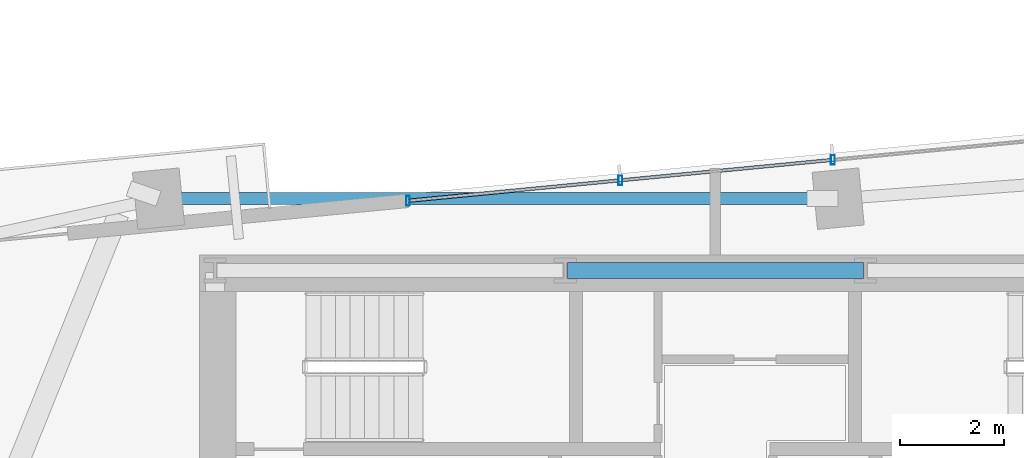
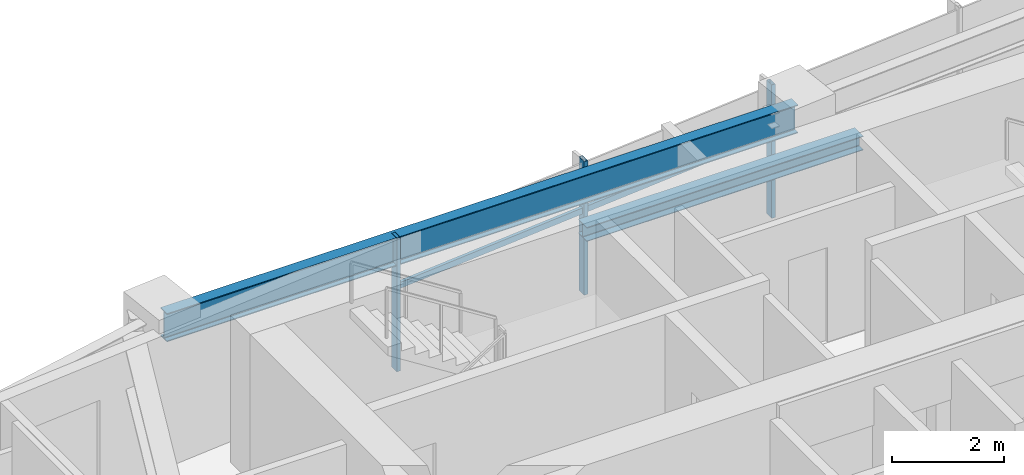
# One storey, part 10 of 27: 5 members, 2 beams, 1 element without a shape of its own.
"""IFC4 building model written with IfcOpenShell, lengths in metres."""

from ifc_helpers import new_model, si_unit, direction, frame, origin, origin_2d, place, context, subcontext, project, spatial, hollow_rectangle, i_section, extrude, source, transform, mapped, material, material_profile, profile_set, type_object, type_shapes, element, aggregate, save


model = new_model("IFC4")

# Units and contexts
model_context = context("Model", 3, precision=1e-05, world=origin(), true_north=direction((0.0, 1.0)))
body_context = subcontext(model_context, "Body", "Model", "MODEL_VIEW")
ifc_project = project(units=[si_unit("LENGTHUNIT", "METRE"), si_unit("AREAUNIT", "SQUARE_METRE"), si_unit("VOLUMEUNIT", "CUBIC_METRE"), si_unit("PLANEANGLEUNIT", "RADIAN"), si_unit("MASSUNIT", "GRAM", prefix="KILO")], contexts=[model_context])

# Site, building, storey
site_placement = place(None, origin())
site = spatial("IfcSite", under=ifc_project, at=site_placement, CompositionType="ELEMENT")
building_placement = place(site_placement, origin())
building = spatial("IfcBuilding", under=site, at=building_placement, Name="Astriad Promenade Condominiums", CompositionType="ELEMENT")
storey_placement = place(building_placement, frame((0.0, 0.0, 116.199951171875)))
storey = spatial("IfcBuildingStorey", under=building, at=storey_placement, Name="L33", CompositionType="ELEMENT", Elevation=116.199951171875)

# Beams
ifc_material_1 = material(Name="Steel ASTM A992 Grade 50", Category="steel")
ifc_material_profile_1 = material_profile(ifc_material_1, i_section(OverallWidth=0.3046875, OverallDepth=0.307861328125, WebThickness=0.010009765625, FlangeThickness=0.015380859375, FilletRadius=0.01513671875, at=origin_2d()), Name="W12X65")
ifc_profile_set_1 = profile_set([ifc_material_profile_1], Name="Steel ASTM A992 Grade 50")
beam_type_1 = type_object("IfcBeamType", Name="STEEL OPENING LINTEL W12X65", PredefinedType="LINTEL", material=ifc_profile_set_1)
shared_shape_1 = source(origin(), body_context, "Body", "SweptSolid", [
    extrude(i_section(OverallWidth=0.3046875, OverallDepth=0.307861328125, WebThickness=0.010009765625, FlangeThickness=0.015380859375, FilletRadius=0.01513671875, at=origin_2d()), origin(), (0.0, 0.0, 1.0), 5.68017578125),
])
type_shapes(beam_type_1, [shared_shape_1])
beam_1_placement = place(storey_placement, frame((33.159912109375, 24.0, 2.74609375), z_axis=(1.0, 0.0, 0.0), x_axis=(0.0, 1.0, 0.0)))
element("IfcBeam", 1, at=beam_1_placement, inside=storey, type_object=beam_type_1, Name="Core Ring Beam CG-N2-L33", PredefinedType="LINTEL", context=body_context, shape_type="MappedRepresentation", body=[
    mapped(shared_shape_1, transform((0.0, 0.0, 0.0), scale=1.0)),
])
ifc_material_profile_2 = material_profile(ifc_material_1, i_section(OverallWidth=0.22900390625, OverallDepth=0.612060546875, WebThickness=0.011962890625, FlangeThickness=0.01953125, FilletRadius=0.017822265625, at=origin_2d()), Name="W24X84")
ifc_profile_set_2 = profile_set([ifc_material_profile_2], Name="Steel ASTM A992 Grade 50")
beam_type_2 = type_object("IfcBeamType", Name="STEEL SPANDREL BEAM W24X84", PredefinedType="SPANDREL", material=ifc_profile_set_2)
shared_shape_2 = source(origin(), body_context, "Body", "SweptSolid", [
    extrude(i_section(OverallWidth=0.22900390625, OverallDepth=0.612060546875, WebThickness=0.011962890625, FlangeThickness=0.01953125, FilletRadius=0.017822265625, at=origin_2d()), origin(), (0.0, 0.0, 1.0), 12.959716796875),
])
type_shapes(beam_type_2, [shared_shape_2])
beam_2_placement = place(storey_placement, frame((38.314697265625, 25.3798828125, 2.593994140625), z_axis=(-1.0, 0.0, 0.0), x_axis=(0.0, -1.0, 0.0)))
element("IfcBeam", 2, at=beam_2_placement, inside=storey, type_object=beam_type_2, Name="Perimeter Spandrel Beam SP-N2-L33", PredefinedType="SPANDREL", context=body_context, shape_type="MappedRepresentation", body=[
    mapped(shared_shape_2, transform((0.0, 0.0, 0.0), scale=1.0)),
])

# Curtain wall, members
ifc_material_2 = material(Name="Anodised aluminium Black Dark Glass Unitised", Category="aluminium")
curtain_wall_type = type_object("IfcCurtainWallType", Name="CW-B2-DARK", PredefinedType="USERDEFINED", material=ifc_material_2)
curtain_wall_placement = place(storey_placement, origin())
curtain_wall = element("IfcCurtainWall", 3, at=curtain_wall_placement, inside=storey, type_object=curtain_wall_type, Name="CW-L33-N", ObjectType="UNITISED_CURTAIN_WALL", PredefinedType="USERDEFINED")
ifc_material_3 = material(Name="Anodised aluminium 6063-T6 Black", Category="aluminium")
ifc_material_profile_3 = material_profile(ifc_material_3, hollow_rectangle(XDim=0.06494140625, YDim=0.1298828125, WallThickness=0.00390625, at=origin_2d()), Name="ALU-TRN-65X130")
ifc_profile_set_3 = profile_set([ifc_material_profile_3], Name="Anodised aluminium 6063-T6 Black")
member_type_1 = type_object("IfcMemberType", Name="TRN-ALU-TRN-65X130", PredefinedType="USERDEFINED", material=ifc_profile_set_3)
shared_shape_3 = source(origin(), body_context, "Body", "SweptSolid", [
    extrude(hollow_rectangle(XDim=0.06494140625, YDim=0.1298828125, WallThickness=0.00390625, at=origin_2d()), origin(), (0.0, 0.0, 1.0), 4.0947265625),
])
member_1_placement = place(storey_placement, frame((30.101806640625, 25.339599609375, 1.798095703125), z_axis=(0.995393613612, 0.095872592434, 0.0), x_axis=(-0.095872592434, 0.995393613612, 0.0)))
member_1 = element("IfcMember", 4, at=member_1_placement, type_object=member_type_1, Name="CW-L33-N-TRN-00-0", ObjectType="TRANSOM", PredefinedType="USERDEFINED", context=body_context, shape_type="MappedRepresentation", body=[
    mapped(shared_shape_3, transform((0.0, 0.0, 0.0), scale=1.0)),
])
shared_shape_4 = source(origin(), body_context, "Body", "SweptSolid", [
    extrude(hollow_rectangle(XDim=0.06494140625, YDim=0.1298828125, WallThickness=0.00390625, at=origin_2d()), origin(), (0.0, 0.0, 1.0), 4.094970703125),
])
type_shapes(member_type_1, [shared_shape_3, shared_shape_4])
member_2_placement = place(storey_placement, frame((34.177734375, 25.732177734375, 1.798095703125), z_axis=(0.995399849002, 0.095807831657, 0.0), x_axis=(-0.095807831657, 0.995399849002, 0.0)))
member_2 = element("IfcMember", 5, at=member_2_placement, type_object=member_type_1, Name="CW-L33-N-TRN-01-0", ObjectType="TRANSOM", PredefinedType="USERDEFINED", context=body_context, shape_type="MappedRepresentation", body=[
    mapped(shared_shape_4, transform((0.0, 0.0, 0.0), scale=1.0)),
])
ifc_material_profile_4 = material_profile(ifc_material_3, hollow_rectangle(XDim=0.074951171875, YDim=0.18505859375, WallThickness=0.00439453125, at=origin_2d()), Name="ALU-MUL-75X185")
ifc_profile_set_4 = profile_set([ifc_material_profile_4], Name="Anodised aluminium 6063-T6 Black")
member_type_2 = type_object("IfcMemberType", Name="MUL-ALU-MUL-75X185", PredefinedType="MULLION", material=ifc_profile_set_4)
shared_shape_5 = source(origin(), body_context, "Body", "SweptSolid", [
    extrude(hollow_rectangle(XDim=0.074951171875, YDim=0.18505859375, WallThickness=0.00439453125, at=origin_2d()), origin(), (0.0, 0.0, 1.0), 2.900146484375),
])
type_shapes(member_type_2, [shared_shape_5])
member_3_placement = place(storey_placement, frame((30.101806640625, 25.339599609375, 0.0), z_axis=(0.0, 0.0, 1.0), x_axis=(1.0, 0.0, 0.0)))
member_3 = element("IfcMember", 6, at=member_3_placement, type_object=member_type_2, Name="CW-L33-N-MUL-00", PredefinedType="MULLION", context=body_context, shape_type="MappedRepresentation", body=[
    mapped(shared_shape_5, transform((0.0, 0.0, 0.0), scale=1.0)),
])
member_4_placement = place(storey_placement, frame((34.177734375, 25.732177734375, 0.0), z_axis=(0.0, 0.0, 1.0), x_axis=(1.0, 0.0, 0.0)))
member_4 = element("IfcMember", 7, at=member_4_placement, type_object=member_type_2, Name="CW-L33-N-MUL-01", PredefinedType="MULLION", context=body_context, shape_type="MappedRepresentation", body=[
    mapped(shared_shape_5, transform((0.0, 0.0, 0.0), scale=1.0)),
])
member_5_placement = place(storey_placement, frame((38.25390625, 26.12451171875, 0.0), z_axis=(0.0, 0.0, 1.0), x_axis=(1.0, 0.0, 0.0)))
member_5 = element("IfcMember", 8, at=member_5_placement, type_object=member_type_2, Name="CW-L33-N-MUL-02", PredefinedType="MULLION", context=body_context, shape_type="MappedRepresentation", body=[
    mapped(shared_shape_5, transform((0.0, 0.0, 0.0), scale=1.0)),
])
aggregate(curtain_wall, [member_3, member_4, member_5, member_1, member_2])

save(model, "model.ifc")
